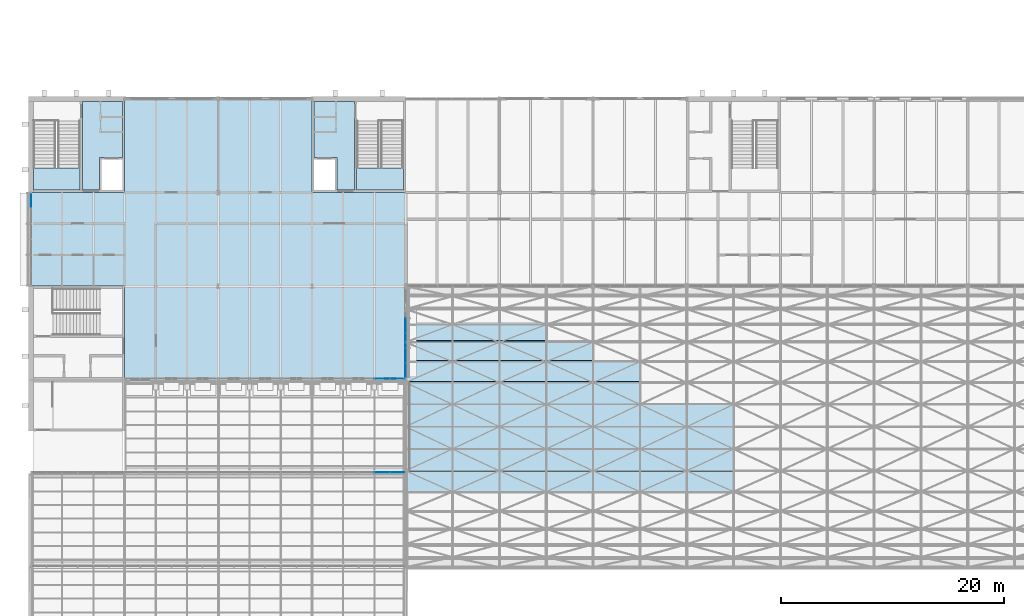
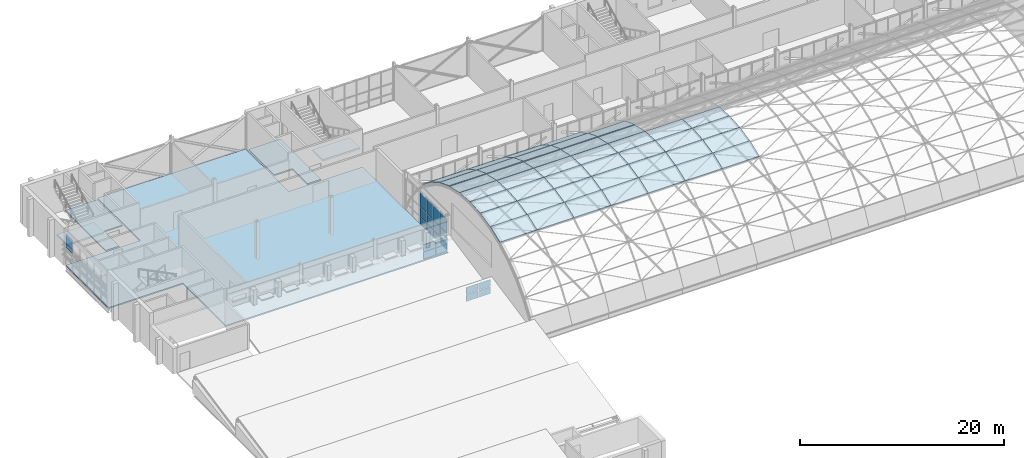
# One storey, part 72 of 121: 66 plates, 5 slabs, 6 elements without a shape of their own.
"""IFC4 building model written with IfcOpenShell, lengths in metres."""

from ifc_helpers import new_model, si_unit, direction, frame, origin, origin_2d, place, context, subcontext, project, spatial, polyline, rectangle, outline, extrude, material, layer, layer_set, type_object, element, aggregate, save


model = new_model("IFC4")

# Units and contexts
model_context = context("Model", 3, precision=1e-05, world=origin(), true_north=direction((0.0, 1.0)))
body_context = subcontext(model_context, "Body", "Model", "MODEL_VIEW")
ifc_project = project(units=[si_unit("LENGTHUNIT", "METRE"), si_unit("AREAUNIT", "SQUARE_METRE"), si_unit("VOLUMEUNIT", "CUBIC_METRE"), si_unit("PLANEANGLEUNIT", "RADIAN"), si_unit("MASSUNIT", "GRAM", prefix="KILO")], contexts=[model_context])

# Site, building, storey
site_placement = place(None, origin())
site = spatial("IfcSite", under=ifc_project, at=site_placement, CompositionType="ELEMENT")
building_placement = place(site_placement, origin())
building = spatial("IfcBuilding", under=site, at=building_placement, Name="Ardhachandra Cancer Care Centre", CompositionType="ELEMENT")
storey_placement = place(building_placement, frame((0.0, 0.0, 9.0)))
storey = spatial("IfcBuildingStorey", under=building, at=storey_placement, Name="L02", CompositionType="ELEMENT", Elevation=9.0)

# Slabs
ifc_material_1 = material(Name="Composite slab Concrete M30 on steel deck", Category="concrete")
ifc_layer_1 = layer(ifc_material_1, 0.14990234375)
ifc_layer_set_1 = layer_set([ifc_layer_1], Name="Composite slab Concrete M30 on steel deck")
slab_type_1 = type_object("IfcSlabType", Name="Composite floor slab 150", PredefinedType="FLOOR", material=ifc_layer_set_1)
slab_1_placement = place(storey_placement, frame((0.0, 0.0, -0.14990234375)))
element("IfcSlab", 1, at=slab_1_placement, inside=storey, type_object=slab_type_1, Name="Floor slab V6", PredefinedType="FLOOR", context=body_context, shape_type="SweptSolid", body=[
    extrude(outline(polyline([(44.39990234375, 79.800048828125), (44.39990234375, 79.922119140625), (44.39990234375, 88.199951171875), (36.0, 88.199951171875), (36.0, 96.60009765625), (19.199951171875, 96.60009765625), (19.199951171875, 88.199951171875), (10.800048828125, 88.199951171875), (10.800048828125, 79.800048828125), (19.199951171875, 79.800048828125), (19.199951171875, 71.39990234375), (44.39990234375, 71.39990234375), (44.39990234375, 79.800048828125)])), origin(), (0.0, 0.0, 1.0), 0.14990234375),
])
ifc_material_2 = material(Name="Concrete M40", Category="concrete")
ifc_layer_2 = layer(ifc_material_2, 0.14990234375)
ifc_layer_set_2 = layer_set([ifc_layer_2], Name="Concrete M40")
slab_type_2 = type_object("IfcSlabType", Name="Core floor slab 150", PredefinedType="FLOOR", material=ifc_layer_set_2)
slab_2_placement = place(storey_placement, frame((0.0, 0.0, -0.14990234375)))
element("IfcSlab", 2, at=slab_2_placement, inside=storey, type_object=slab_type_2, Name="Core floor slab K4 L02 2", PredefinedType="FLOOR", context=body_context, shape_type="SweptSolid", body=[
    extrude(outline(polyline([(19.0, 96.375), (19.0, 91.35009765625), (17.14990234375, 91.35009765625), (16.949951171875, 91.35009765625), (16.949951171875, 88.39990234375), (15.425048828125, 88.39990234375), (15.425048828125, 96.375), (19.0, 96.375)])), origin(), (0.0, 0.0, 1.0), 0.14990234375),
])
slab_3_placement = place(storey_placement, frame((0.0, 0.0, -0.14990234375)))
element("IfcSlab", 3, at=slab_3_placement, inside=storey, type_object=slab_type_2, Name="Core floor slab K5 L02 2", PredefinedType="FLOOR", context=body_context, shape_type="SweptSolid", body=[
    extrude(outline(polyline([(36.199951171875, 96.375), (36.199951171875, 91.35009765625), (38.050048828125, 91.35009765625), (38.25, 91.35009765625), (38.25, 88.39990234375), (39.800048828125, 88.39990234375), (39.800048828125, 96.375), (36.199951171875, 96.375)])), origin(), (0.0, 0.0, 1.0), 0.14990234375),
])

# Curtain wall, plates
ifc_material_3 = material(Name="Aluminium extrusion", Category="aluminium")
ifc_layer_3 = layer(ifc_material_3, 0.14990234375)
ifc_layer_set_3 = layer_set([ifc_layer_3], Name="Aluminium extrusion")
curtain_wall_type = type_object("IfcCurtainWallType", Name="Curtain wall run", PredefinedType="NOTDEFINED", material=ifc_layer_set_3)
curtain_wall_1_placement = place(storey_placement, origin())
curtain_wall_1 = element("IfcCurtainWall", 4, at=curtain_wall_1_placement, inside=storey, type_object=curtain_wall_type, Name="Curtain wall L02 e/0044400_0071400", PredefinedType="NOTDEFINED")
ifc_material_4 = material(Name="Low-iron double-glazed unit")
ifc_layer_4 = layer(ifc_material_4, 0.028076171875)
ifc_layer_set_4 = layer_set([ifc_layer_4], Name="Low-iron double-glazed unit")
plate_type_1 = type_object("IfcPlateType", Name="Curtain wall glazing 28", PredefinedType="CURTAIN_PANEL", material=ifc_layer_set_4)
plate_1_placement = place(storey_placement, frame((44.39990234375, 71.64404296875, 0.06005859375), z_axis=(-1.0, 0.0, 0.0), x_axis=(0.0, 0.0, 1.0)))
plate_1 = element("IfcPlate", 5, at=plate_1_placement, type_object=plate_type_1, Name="CW panel 1.1", PredefinedType="CURTAIN_PANEL", context=body_context, shape_type="SweptSolid", body=[
    extrude(outline(polyline([(0.0, 0.0), (0.81005859375, 0.0), (0.81005859375, 1.24853515625), (0.0, 1.24853515625), (0.0, 0.0)])), origin(), (0.0, 0.0, 1.0), 0.028076171875),
])
plate_2_placement = place(storey_placement, frame((44.39990234375, 71.64404296875, 0.929931640625), z_axis=(-1.0, 0.0, 0.0), x_axis=(0.0, 0.0, 1.0)))
plate_2 = element("IfcPlate", 6, at=plate_2_placement, type_object=plate_type_1, Name="CW panel 1.2", PredefinedType="CURTAIN_PANEL", context=body_context, shape_type="SweptSolid", body=[
    extrude(outline(polyline([(0.0, 0.0), (1.14013671875, 0.0), (1.14013671875, 1.24853515625), (0.0, 1.24853515625), (0.0, 0.0)])), origin(), (0.0, 0.0, 1.0), 0.028076171875),
])
plate_3_placement = place(storey_placement, frame((44.39990234375, 71.64404296875, 2.1298828125), z_axis=(-1.0, 0.0, 0.0), x_axis=(0.0, 0.0, 1.0)))
plate_3 = element("IfcPlate", 7, at=plate_3_placement, type_object=plate_type_1, Name="CW panel 1.3", PredefinedType="CURTAIN_PANEL", context=body_context, shape_type="SweptSolid", body=[
    extrude(outline(polyline([(0.0, 0.0), (1.66015625, 0.0), (1.66015625, 1.24853515625), (0.0, 1.24853515625), (0.0, 0.0)])), origin(), (0.0, 0.0, 1.0), 0.028076171875),
])
plate_4_placement = place(storey_placement, frame((44.39990234375, 72.95263671875, 0.06005859375), z_axis=(-1.0, 0.0, 0.0), x_axis=(0.0, 0.0, 1.0)))
plate_4 = element("IfcPlate", 8, at=plate_4_placement, type_object=plate_type_1, Name="CW panel 2.1", PredefinedType="CURTAIN_PANEL", context=body_context, shape_type="SweptSolid", body=[
    extrude(outline(polyline([(0.0, 0.0), (0.81005859375, 0.0), (0.81005859375, 1.27880859375), (0.0, 1.27880859375), (0.0, 0.0)])), origin(), (0.0, 0.0, 1.0), 0.028076171875),
])
plate_5_placement = place(storey_placement, frame((44.39990234375, 72.95263671875, 0.929931640625), z_axis=(-1.0, 0.0, 0.0), x_axis=(0.0, 0.0, 1.0)))
plate_5 = element("IfcPlate", 9, at=plate_5_placement, type_object=plate_type_1, Name="CW panel 2.2", PredefinedType="CURTAIN_PANEL", context=body_context, shape_type="SweptSolid", body=[
    extrude(outline(polyline([(0.0, 0.0), (1.14013671875, 0.0), (1.14013671875, 1.27880859375), (0.0, 1.27880859375), (0.0, 0.0)])), origin(), (0.0, 0.0, 1.0), 0.028076171875),
])
plate_6_placement = place(storey_placement, frame((44.39990234375, 72.95263671875, 2.1298828125), z_axis=(-1.0, 0.0, 0.0), x_axis=(0.0, 0.0, 1.0)))
plate_6 = element("IfcPlate", 10, at=plate_6_placement, type_object=plate_type_1, Name="CW panel 2.3", PredefinedType="CURTAIN_PANEL", context=body_context, shape_type="SweptSolid", body=[
    extrude(outline(polyline([(0.0, 0.0), (1.66015625, 0.0), (1.66015625, 1.27880859375), (0.0, 1.27880859375), (0.0, 0.0)])), origin(), (0.0, 0.0, 1.0), 0.028076171875),
])
plate_7_placement = place(storey_placement, frame((44.39990234375, 74.291259765625, 0.06005859375), z_axis=(-1.0, 0.0, 0.0), x_axis=(0.0, 0.0, 1.0)))
plate_7 = element("IfcPlate", 11, at=plate_7_placement, type_object=plate_type_1, Name="CW panel 3.1", PredefinedType="CURTAIN_PANEL", context=body_context, shape_type="SweptSolid", body=[
    extrude(outline(polyline([(0.0, 0.0), (0.81005859375, 0.0), (0.81005859375, 1.27880859375), (0.0, 1.27880859375), (0.0, 0.0)])), origin(), (0.0, 0.0, 1.0), 0.028076171875),
])
plate_8_placement = place(storey_placement, frame((44.39990234375, 74.291259765625, 0.929931640625), z_axis=(-1.0, 0.0, 0.0), x_axis=(0.0, 0.0, 1.0)))
plate_8 = element("IfcPlate", 12, at=plate_8_placement, type_object=plate_type_1, Name="CW panel 3.2", PredefinedType="CURTAIN_PANEL", context=body_context, shape_type="SweptSolid", body=[
    extrude(outline(polyline([(0.0, 0.0), (1.14013671875, 0.0), (1.14013671875, 1.27880859375), (0.0, 1.27880859375), (0.0, 0.0)])), origin(), (0.0, 0.0, 1.0), 0.028076171875),
])
plate_9_placement = place(storey_placement, frame((44.39990234375, 74.291259765625, 2.1298828125), z_axis=(-1.0, 0.0, 0.0), x_axis=(0.0, 0.0, 1.0)))
plate_9 = element("IfcPlate", 13, at=plate_9_placement, type_object=plate_type_1, Name="CW panel 3.3", PredefinedType="CURTAIN_PANEL", context=body_context, shape_type="SweptSolid", body=[
    extrude(outline(polyline([(0.0, 0.0), (1.66015625, 0.0), (1.66015625, 1.27880859375), (0.0, 1.27880859375), (0.0, 0.0)])), origin(), (0.0, 0.0, 1.0), 0.028076171875),
])
plate_10_placement = place(storey_placement, frame((44.39990234375, 75.6298828125, 0.06005859375), z_axis=(-1.0, 0.0, 0.0), x_axis=(0.0, 0.0, 1.0)))
plate_10 = element("IfcPlate", 14, at=plate_10_placement, type_object=plate_type_1, Name="CW panel 4.1", PredefinedType="CURTAIN_PANEL", context=body_context, shape_type="SweptSolid", body=[
    extrude(outline(polyline([(0.0, 0.0), (0.81005859375, 0.0), (0.81005859375, 1.27880859375), (0.0, 1.27880859375), (0.0, 0.0)])), origin(), (0.0, 0.0, 1.0), 0.028076171875),
])
plate_11_placement = place(storey_placement, frame((44.39990234375, 75.6298828125, 0.929931640625), z_axis=(-1.0, 0.0, 0.0), x_axis=(0.0, 0.0, 1.0)))
plate_11 = element("IfcPlate", 15, at=plate_11_placement, type_object=plate_type_1, Name="CW panel 4.2", PredefinedType="CURTAIN_PANEL", context=body_context, shape_type="SweptSolid", body=[
    extrude(outline(polyline([(0.0, 0.0), (1.14013671875, 0.0), (1.14013671875, 1.27880859375), (0.0, 1.27880859375), (0.0, 0.0)])), origin(), (0.0, 0.0, 1.0), 0.028076171875),
])
plate_12_placement = place(storey_placement, frame((44.39990234375, 75.6298828125, 2.1298828125), z_axis=(-1.0, 0.0, 0.0), x_axis=(0.0, 0.0, 1.0)))
plate_12 = element("IfcPlate", 16, at=plate_12_placement, type_object=plate_type_1, Name="CW panel 4.3", PredefinedType="CURTAIN_PANEL", context=body_context, shape_type="SweptSolid", body=[
    extrude(outline(polyline([(0.0, 0.0), (1.66015625, 0.0), (1.66015625, 1.27880859375), (0.0, 1.27880859375), (0.0, 0.0)])), origin(), (0.0, 0.0, 1.0), 0.028076171875),
])
aggregate(curtain_wall_1, [plate_1, plate_2, plate_3, plate_4, plate_5, plate_6, plate_7, plate_8, plate_9, plate_10, plate_11, plate_12])

# Curtain wall, plate
curtain_wall_2_placement = place(storey_placement, origin())
curtain_wall_2 = element("IfcCurtainWall", 17, at=curtain_wall_2_placement, inside=storey, type_object=curtain_wall_type, Name="Curtain wall L02 w/0010800_0079800", PredefinedType="NOTDEFINED")
plate_13_placement = place(storey_placement, frame((10.800048828125, 87.485107421875, 2.1298828125), z_axis=(0.0, 0.0, 1.0), x_axis=(0.0, 1.0, 0.0)))
plate_13 = element("IfcPlate", 18, at=plate_13_placement, type_object=plate_type_1, Name="CW panel 6.3", PredefinedType="CURTAIN_PANEL", context=body_context, shape_type="SweptSolid", body=[
    extrude(rectangle(XDim=1.31005859375, YDim=0.028076171875, at=origin_2d()), origin(), (0.0, 0.0, 1.0), 1.659912109375),
])
aggregate(curtain_wall_2, [plate_13])

# Curtain wall, plates
curtain_wall_3_placement = place(storey_placement, origin())
curtain_wall_3 = element("IfcCurtainWall", 19, at=curtain_wall_3_placement, inside=storey, type_object=curtain_wall_type, Name="Curtain wall L02 n/0010800_0063100", PredefinedType="NOTDEFINED")
plate_14_placement = place(storey_placement, frame((42.300048828125, 63.10009765625, 0.93994140625), z_axis=(0.0, 0.0, 1.0), x_axis=(1.0, 0.0, 0.0)))
plate_14 = element("IfcPlate", 20, at=plate_14_placement, type_object=plate_type_1, Name="CW panel 23.2", PredefinedType="CURTAIN_PANEL", context=body_context, shape_type="SweptSolid", body=[
    extrude(rectangle(XDim=1.340087890625, YDim=0.028076171875, at=origin_2d()), origin(), (0.0, 0.0, 1.0), 0.820068359375),
])
plate_15_placement = place(storey_placement, frame((43.68505859375, 63.10009765625, 0.93994140625), z_axis=(0.0, 0.0, 1.0), x_axis=(1.0, 0.0, 0.0)))
plate_15 = element("IfcPlate", 21, at=plate_15_placement, type_object=plate_type_1, Name="CW panel 24.2", PredefinedType="CURTAIN_PANEL", context=body_context, shape_type="SweptSolid", body=[
    extrude(rectangle(XDim=1.31005859375, YDim=0.028076171875, at=origin_2d()), origin(), (0.0, 0.0, 1.0), 0.820068359375),
])

curtain_wall_4_placement = place(storey_placement, origin())
curtain_wall_4 = element("IfcCurtainWall", 22, at=curtain_wall_4_placement, inside=storey, type_object=curtain_wall_type, Name="Curtain wall L02 n/0019200_0071500", PredefinedType="NOTDEFINED")
plate_16_placement = place(storey_placement, frame((42.300048828125, 71.5, 0.93994140625), z_axis=(0.0, 0.0, 1.0), x_axis=(1.0, 0.0, 0.0)))
plate_16 = element("IfcPlate", 23, at=plate_16_placement, type_object=plate_type_1, Name="CW panel 17.2", PredefinedType="CURTAIN_PANEL", context=body_context, shape_type="SweptSolid", body=[
    extrude(rectangle(XDim=1.340087890625, YDim=0.028076171875, at=origin_2d()), origin(), (0.0, 0.0, 1.0), 0.820068359375),
])
plate_17_placement = place(storey_placement, frame((43.68505859375, 71.5, 0.93994140625), z_axis=(0.0, 0.0, 1.0), x_axis=(1.0, 0.0, 0.0)))
plate_17 = element("IfcPlate", 24, at=plate_17_placement, type_object=plate_type_1, Name="CW panel 18.2", PredefinedType="CURTAIN_PANEL", context=body_context, shape_type="SweptSolid", body=[
    extrude(rectangle(XDim=1.31005859375, YDim=0.028076171875, at=origin_2d()), origin(), (0.0, 0.0, 1.0), 0.820068359375),
])

# Plate
ifc_material_5 = material(Name="Aluminium composite spandrel panel", Category="aluminium")
ifc_layer_5 = layer(ifc_material_5, 0.028076171875)
ifc_layer_set_5 = layer_set([ifc_layer_5], Name="Aluminium composite spandrel panel")
plate_type_2 = type_object("IfcPlateType", Name="Curtain wall spandrel panel 28", PredefinedType="CURTAIN_PANEL", material=ifc_layer_set_5)
plate_18_placement = place(storey_placement, frame((42.300048828125, 63.10009765625, 0.06005859375), z_axis=(0.0, 0.0, 1.0), x_axis=(1.0, 0.0, 0.0)))
plate_18 = element("IfcPlate", 25, at=plate_18_placement, type_object=plate_type_2, Name="CW panel 23.1", PredefinedType="CURTAIN_PANEL", context=body_context, shape_type="SweptSolid", body=[
    extrude(rectangle(XDim=1.340087890625, YDim=0.028076171875, at=origin_2d()), origin(), (0.0, 0.0, 1.0), 0.820068359375),
])

plate_19_placement = place(storey_placement, frame((43.68505859375, 63.10009765625, 0.06005859375), z_axis=(0.0, 0.0, 1.0), x_axis=(1.0, 0.0, 0.0)))
plate_19 = element("IfcPlate", 26, at=plate_19_placement, type_object=plate_type_2, Name="CW panel 24.1", PredefinedType="CURTAIN_PANEL", context=body_context, shape_type="SweptSolid", body=[
    extrude(rectangle(XDim=1.31005859375, YDim=0.028076171875, at=origin_2d()), origin(), (0.0, 0.0, 1.0), 0.820068359375),
])

aggregate(curtain_wall_3, [plate_18, plate_14, plate_19, plate_15])

plate_20_placement = place(storey_placement, frame((42.300048828125, 71.5, 0.06005859375), z_axis=(0.0, 0.0, 1.0), x_axis=(1.0, 0.0, 0.0)))
plate_20 = element("IfcPlate", 27, at=plate_20_placement, type_object=plate_type_2, Name="CW panel 17.1", PredefinedType="CURTAIN_PANEL", context=body_context, shape_type="SweptSolid", body=[
    extrude(rectangle(XDim=1.340087890625, YDim=0.028076171875, at=origin_2d()), origin(), (0.0, 0.0, 1.0), 0.820068359375),
])

plate_21_placement = place(storey_placement, frame((43.68505859375, 71.5, 0.06005859375), z_axis=(0.0, 0.0, 1.0), x_axis=(1.0, 0.0, 0.0)))
plate_21 = element("IfcPlate", 28, at=plate_21_placement, type_object=plate_type_2, Name="CW panel 18.1", PredefinedType="CURTAIN_PANEL", context=body_context, shape_type="SweptSolid", body=[
    extrude(rectangle(XDim=1.31005859375, YDim=0.028076171875, at=origin_2d()), origin(), (0.0, 0.0, 1.0), 0.820068359375),
])

aggregate(curtain_wall_4, [plate_20, plate_16, plate_21, plate_17])

# Plates
ifc_material_6 = material(Name="Laminated heat-strengthened double-glazed unit")
ifc_layer_6 = layer(ifc_material_6, 0.035888671875)
ifc_layer_set_6 = layer_set([ifc_layer_6], Name="Laminated heat-strengthened double-glazed unit")
plate_type_3 = type_object("IfcPlateType", Name="Gridshell glazing 36", PredefinedType="SHEET", material=ifc_layer_set_6)
for number, where, z_axis, x_axis, name in (
    (29, (44.39990234375, 63.2177734375, 7.93359375), (0.0, -0.218735449514, 0.975784199055), (1.0, 0.0, 0.0), "Glazed cell H 1.7"),
    (30, (44.39990234375, 65.191650390625, 8.374755859375), (0.0, -0.073436541071, 0.997299891926), (1.0, 0.0, 0.0), "Glazed cell H 1.8"),
    (31, (44.39990234375, 67.208984375, 8.52197265625), (0.0, 0.073436541071, 0.997299891926), (1.0, 0.0, 0.0), "Glazed cell H 1.9"),
):
    element("IfcPlate", number, at=place(storey_placement, frame(where, z_axis=z_axis, x_axis=x_axis)), inside=storey, type_object=plate_type_3, Name=name, PredefinedType="SHEET", context=body_context, shape_type="SweptSolid", body=[
        extrude(outline(polyline([(0.0, 0.0), (4.2001953125, 0.0), (4.2001953125, 2.004638671875), (0.0, 2.004638671875), (0.0, 0.0)])), origin(), (0.0, 0.0, 1.0), 0.035888671875),
    ])
plate_22_placement = place(storey_placement, frame((44.39990234375, 69.22607421875, 8.3720703125), z_axis=(0.0, 0.218709457766, 0.9757900251), x_axis=(1.0, 0.0, 0.0)))
element("IfcPlate", 32, at=plate_22_placement, inside=storey, type_object=plate_type_3, Name="Glazed cell H 1.10", PredefinedType="SHEET", context=body_context, shape_type="SweptSolid", body=[
    extrude(outline(polyline([(0.0, 0.0), (4.2001953125, 0.0), (4.2001953125, 2.0048828125), (0.0, 2.0048828125), (0.0, 0.0)])), origin(), (0.0, 0.0, 1.0), 0.035888671875),
])
for number, where, z_axis, x_axis, name in (
    (33, (48.60009765625, 63.2177734375, 7.93359375), (0.0, -0.218735449514, 0.975784199055), (1.0, 0.0, 0.0), "Glazed cell H 2.7"),
    (34, (48.60009765625, 65.191650390625, 8.374755859375), (0.0, -0.073436541071, 0.997299891926), (1.0, 0.0, 0.0), "Glazed cell H 2.8"),
    (35, (48.60009765625, 67.208984375, 8.52197265625), (0.0, 0.073436541071, 0.997299891926), (1.0, 0.0, 0.0), "Glazed cell H 2.9"),
):
    element("IfcPlate", number, at=place(storey_placement, frame(where, z_axis=z_axis, x_axis=x_axis)), inside=storey, type_object=plate_type_3, Name=name, PredefinedType="SHEET", context=body_context, shape_type="SweptSolid", body=[
        extrude(outline(polyline([(0.0, 0.0), (4.199951171875, 0.0), (4.199951171875, 2.004638671875), (0.0, 2.004638671875), (0.0, 0.0)])), origin(), (0.0, 0.0, 1.0), 0.035888671875),
    ])
plate_23_placement = place(storey_placement, frame((48.60009765625, 69.22607421875, 8.3720703125), z_axis=(0.0, 0.218709457766, 0.9757900251), x_axis=(1.0, 0.0, 0.0)))
element("IfcPlate", 36, at=plate_23_placement, inside=storey, type_object=plate_type_3, Name="Glazed cell H 2.10", PredefinedType="SHEET", context=body_context, shape_type="SweptSolid", body=[
    extrude(outline(polyline([(0.0, 0.0), (4.199951171875, 0.0), (4.199951171875, 2.0048828125), (0.0, 2.0048828125), (0.0, 0.0)])), origin(), (0.0, 0.0, 1.0), 0.035888671875),
])
for number, where, z_axis, x_axis, name in (
    (37, (52.800048828125, 63.2177734375, 7.93359375), (0.0, -0.218735449514, 0.975784199055), (1.0, 0.0, 0.0), "Glazed cell H 3.7"),
    (38, (52.800048828125, 65.191650390625, 8.374755859375), (0.0, -0.073436541071, 0.997299891926), (1.0, 0.0, 0.0), "Glazed cell H 3.8"),
    (39, (52.800048828125, 67.208984375, 8.52197265625), (0.0, 0.073436541071, 0.997299891926), (1.0, 0.0, 0.0), "Glazed cell H 3.9"),
):
    element("IfcPlate", number, at=place(storey_placement, frame(where, z_axis=z_axis, x_axis=x_axis)), inside=storey, type_object=plate_type_3, Name=name, PredefinedType="SHEET", context=body_context, shape_type="SweptSolid", body=[
        extrude(outline(polyline([(0.0, 0.0), (4.199951171875, 0.0), (4.199951171875, 2.004638671875), (0.0, 2.004638671875), (0.0, 0.0)])), origin(), (0.0, 0.0, 1.0), 0.035888671875),
    ])
plate_24_placement = place(storey_placement, frame((52.800048828125, 69.22607421875, 8.3720703125), z_axis=(0.0, 0.218709457766, 0.9757900251), x_axis=(1.0, 0.0, 0.0)))
element("IfcPlate", 40, at=plate_24_placement, inside=storey, type_object=plate_type_3, Name="Glazed cell H 3.10", PredefinedType="SHEET", context=body_context, shape_type="SweptSolid", body=[
    extrude(outline(polyline([(0.0, 0.0), (4.199951171875, 0.0), (4.199951171875, 2.0048828125), (0.0, 2.0048828125), (0.0, 0.0)])), origin(), (0.0, 0.0, 1.0), 0.035888671875),
])
for number, where, z_axis, x_axis, name in (
    (41, (57.0, 63.2177734375, 7.93359375), (0.0, -0.218735449514, 0.975784199055), (1.0, 0.0, 0.0), "Glazed cell H 4.7"),
    (42, (57.0, 65.191650390625, 8.374755859375), (0.0, -0.073436541071, 0.997299891926), (1.0, 0.0, 0.0), "Glazed cell H 4.8"),
    (43, (57.0, 67.208984375, 8.52197265625), (0.0, 0.073436541071, 0.997299891926), (1.0, 0.0, 0.0), "Glazed cell H 4.9"),
):
    element("IfcPlate", number, at=place(storey_placement, frame(where, z_axis=z_axis, x_axis=x_axis)), inside=storey, type_object=plate_type_3, Name=name, PredefinedType="SHEET", context=body_context, shape_type="SweptSolid", body=[
        extrude(outline(polyline([(0.0, 0.0), (4.199951171875, 0.0), (4.199951171875, 2.004638671875), (0.0, 2.004638671875), (0.0, 0.0)])), origin(), (0.0, 0.0, 1.0), 0.035888671875),
    ])
plate_25_placement = place(storey_placement, frame((57.0, 69.22607421875, 8.3720703125), z_axis=(0.0, 0.218709457766, 0.9757900251), x_axis=(1.0, 0.0, 0.0)))
element("IfcPlate", 44, at=plate_25_placement, inside=storey, type_object=plate_type_3, Name="Glazed cell H 4.10", PredefinedType="SHEET", context=body_context, shape_type="SweptSolid", body=[
    extrude(outline(polyline([(0.0, 0.0), (4.199951171875, 0.0), (4.199951171875, 2.0048828125), (0.0, 2.0048828125), (0.0, 0.0)])), origin(), (0.0, 0.0, 1.0), 0.035888671875),
])
for number, where, z_axis, x_axis, name in (
    (45, (61.199951171875, 63.2177734375, 7.93359375), (0.0, -0.218735449514, 0.975784199055), (1.0, 0.0, 0.0), "Glazed cell H 5.7"),
    (46, (61.199951171875, 65.191650390625, 8.374755859375), (0.0, -0.073436541071, 0.997299891926), (1.0, 0.0, 0.0), "Glazed cell H 5.8"),
    (47, (61.199951171875, 67.208984375, 8.52197265625), (0.0, 0.073436541071, 0.997299891926), (1.0, 0.0, 0.0), "Glazed cell H 5.9"),
):
    element("IfcPlate", number, at=place(storey_placement, frame(where, z_axis=z_axis, x_axis=x_axis)), inside=storey, type_object=plate_type_3, Name=name, PredefinedType="SHEET", context=body_context, shape_type="SweptSolid", body=[
        extrude(outline(polyline([(0.0, 0.0), (4.199951171875, 0.0), (4.199951171875, 2.004638671875), (0.0, 2.004638671875), (0.0, 0.0)])), origin(), (0.0, 0.0, 1.0), 0.035888671875),
    ])
plate_26_placement = place(storey_placement, frame((61.199951171875, 69.22607421875, 8.3720703125), z_axis=(0.0, 0.218709457766, 0.9757900251), x_axis=(1.0, 0.0, 0.0)))
element("IfcPlate", 48, at=plate_26_placement, inside=storey, type_object=plate_type_3, Name="Glazed cell H 5.10", PredefinedType="SHEET", context=body_context, shape_type="SweptSolid", body=[
    extrude(outline(polyline([(0.0, 0.0), (4.199951171875, 0.0), (4.199951171875, 2.0048828125), (0.0, 2.0048828125), (0.0, 0.0)])), origin(), (0.0, 0.0, 1.0), 0.035888671875),
])
for number, where, z_axis, x_axis, name in (
    (49, (65.39990234375, 63.2177734375, 7.93359375), (0.0, -0.218735449514, 0.975784199055), (1.0, 0.0, 0.0), "Glazed cell H 6.7"),
    (50, (65.39990234375, 65.191650390625, 8.374755859375), (0.0, -0.073436541071, 0.997299891926), (1.0, 0.0, 0.0), "Glazed cell H 6.8"),
    (51, (65.39990234375, 67.208984375, 8.52197265625), (0.0, 0.073436541071, 0.997299891926), (1.0, 0.0, 0.0), "Glazed cell H 6.9"),
):
    element("IfcPlate", number, at=place(storey_placement, frame(where, z_axis=z_axis, x_axis=x_axis)), inside=storey, type_object=plate_type_3, Name=name, PredefinedType="SHEET", context=body_context, shape_type="SweptSolid", body=[
        extrude(outline(polyline([(0.0, 0.0), (4.2001953125, 0.0), (4.2001953125, 2.004638671875), (0.0, 2.004638671875), (0.0, 0.0)])), origin(), (0.0, 0.0, 1.0), 0.035888671875),
    ])
for number, where, z_axis, x_axis, name in (
    (52, (69.60009765625, 63.2177734375, 7.93359375), (0.0, -0.218735449514, 0.975784199055), (1.0, 0.0, 0.0), "Glazed cell H 7.7"),
    (53, (69.60009765625, 65.191650390625, 8.374755859375), (0.0, -0.073436541071, 0.997299891926), (1.0, 0.0, 0.0), "Glazed cell H 7.8"),
    (54, (69.60009765625, 67.208984375, 8.52197265625), (0.0, 0.073436541071, 0.997299891926), (1.0, 0.0, 0.0), "Glazed cell H 7.9"),
):
    element("IfcPlate", number, at=place(storey_placement, frame(where, z_axis=z_axis, x_axis=x_axis)), inside=storey, type_object=plate_type_3, Name=name, PredefinedType="SHEET", context=body_context, shape_type="SweptSolid", body=[
        extrude(outline(polyline([(0.0, 0.0), (4.199951171875, 0.0), (4.199951171875, 2.004638671875), (0.0, 2.004638671875), (0.0, 0.0)])), origin(), (0.0, 0.0, 1.0), 0.035888671875),
    ])
ifc_material_7 = material(Name="Insulated metal roof panel (galvalume skins, PIR core)")
ifc_layer_7 = layer(ifc_material_7, 0.10009765625)
ifc_layer_set_7 = layer_set([ifc_layer_7], Name="Insulated metal roof panel (galvalume skins, PIR core)")
plate_type_4 = type_object("IfcPlateType", Name="Gridshell insulated panel 100", PredefinedType="SHEET", material=ifc_layer_set_7)
for number, where, z_axis, x_axis, name in (
    (55, (44.39990234375, 61.32958984375, 7.2080078125), (0.0, -0.359370750226, 0.93319486919), (1.0, 0.0, 0.0), "Roof cell H 1.6"),
    (56, (44.39990234375, 71.199462890625, 7.928466796875), (0.0, 0.359370750226, 0.93319486919), (1.0, 0.0, 0.0), "Roof cell H 1.11"),
):
    element("IfcPlate", number, at=place(storey_placement, frame(where, z_axis=z_axis, x_axis=x_axis)), inside=storey, type_object=plate_type_4, Name=name, PredefinedType="SHEET", context=body_context, shape_type="SweptSolid", body=[
        extrude(outline(polyline([(0.0, 0.0), (4.2001953125, 0.0), (4.2001953125, 2.0048828125), (0.0, 2.0048828125), (0.0, 0.0)])), origin(), (0.0, 0.0, 1.0), 0.10009765625),
    ])
plate_27_placement = place(storey_placement, frame((44.39990234375, 73.086669921875, 7.200439453125), z_axis=(0.0, 0.492133501312, 0.870519739515), x_axis=(1.0, 0.0, 0.0)))
element("IfcPlate", 57, at=plate_27_placement, inside=storey, type_object=plate_type_4, Name="Roof cell H 1.12", PredefinedType="SHEET", context=body_context, shape_type="SweptSolid", body=[
    extrude(outline(polyline([(0.0, 0.0), (4.2001953125, 0.0), (4.2001953125, 2.004638671875), (0.0, 2.004638671875), (0.0, 0.0)])), origin(), (0.0, 0.0, 1.0), 0.10009765625),
])
plate_28_placement = place(storey_placement, frame((44.39990234375, 74.8466796875, 6.203857421875), z_axis=(0.0, 0.614244074324, 0.789116098656), x_axis=(1.0, 0.0, 0.0)))
element("IfcPlate", 58, at=plate_28_placement, inside=storey, type_object=plate_type_4, Name="Roof cell H 1.13", PredefinedType="SHEET", context=body_context, shape_type="SweptSolid", body=[
    extrude(outline(polyline([(0.0, 0.0), (4.2001953125, 0.0), (4.2001953125, 2.0048828125), (0.0, 2.0048828125), (0.0, 0.0)])), origin(), (0.0, 0.0, 1.0), 0.10009765625),
])
for number, where, z_axis, x_axis, name in (
    (59, (48.60009765625, 61.32958984375, 7.2080078125), (0.0, -0.359370750226, 0.93319486919), (1.0, 0.0, 0.0), "Roof cell H 2.6"),
    (60, (48.60009765625, 71.199462890625, 7.928466796875), (0.0, 0.359370750226, 0.93319486919), (1.0, 0.0, 0.0), "Roof cell H 2.11"),
):
    element("IfcPlate", number, at=place(storey_placement, frame(where, z_axis=z_axis, x_axis=x_axis)), inside=storey, type_object=plate_type_4, Name=name, PredefinedType="SHEET", context=body_context, shape_type="SweptSolid", body=[
        extrude(outline(polyline([(0.0, 0.0), (4.199951171875, 0.0), (4.199951171875, 2.0048828125), (0.0, 2.0048828125), (0.0, 0.0)])), origin(), (0.0, 0.0, 1.0), 0.10009765625),
    ])
plate_29_placement = place(storey_placement, frame((48.60009765625, 73.086669921875, 7.200439453125), z_axis=(0.0, 0.492133501312, 0.870519739515), x_axis=(1.0, 0.0, 0.0)))
element("IfcPlate", 61, at=plate_29_placement, inside=storey, type_object=plate_type_4, Name="Roof cell H 2.12", PredefinedType="SHEET", context=body_context, shape_type="SweptSolid", body=[
    extrude(outline(polyline([(0.0, 0.0), (4.199951171875, 0.0), (4.199951171875, 2.004638671875), (0.0, 2.004638671875), (0.0, 0.0)])), origin(), (0.0, 0.0, 1.0), 0.10009765625),
])
for number, where, z_axis, x_axis, name in (
    (62, (48.60009765625, 74.8466796875, 6.203857421875), (0.0, 0.614244074324, 0.789116098656), (1.0, 0.0, 0.0), "Roof cell H 2.13"),
    (63, (52.800048828125, 61.32958984375, 7.2080078125), (0.0, -0.359370750226, 0.93319486919), (1.0, 0.0, 0.0), "Roof cell H 3.6"),
    (64, (52.800048828125, 71.199462890625, 7.928466796875), (0.0, 0.359370750226, 0.93319486919), (1.0, 0.0, 0.0), "Roof cell H 3.11"),
):
    element("IfcPlate", number, at=place(storey_placement, frame(where, z_axis=z_axis, x_axis=x_axis)), inside=storey, type_object=plate_type_4, Name=name, PredefinedType="SHEET", context=body_context, shape_type="SweptSolid", body=[
        extrude(outline(polyline([(0.0, 0.0), (4.199951171875, 0.0), (4.199951171875, 2.0048828125), (0.0, 2.0048828125), (0.0, 0.0)])), origin(), (0.0, 0.0, 1.0), 0.10009765625),
    ])
plate_30_placement = place(storey_placement, frame((52.800048828125, 73.086669921875, 7.200439453125), z_axis=(0.0, 0.492133501312, 0.870519739515), x_axis=(1.0, 0.0, 0.0)))
element("IfcPlate", 65, at=plate_30_placement, inside=storey, type_object=plate_type_4, Name="Roof cell H 3.12", PredefinedType="SHEET", context=body_context, shape_type="SweptSolid", body=[
    extrude(outline(polyline([(0.0, 0.0), (4.199951171875, 0.0), (4.199951171875, 2.004638671875), (0.0, 2.004638671875), (0.0, 0.0)])), origin(), (0.0, 0.0, 1.0), 0.10009765625),
])
for number, where, z_axis, x_axis, name in (
    (66, (52.800048828125, 74.8466796875, 6.203857421875), (0.0, 0.614244074324, 0.789116098656), (1.0, 0.0, 0.0), "Roof cell H 3.13"),
    (67, (57.0, 61.32958984375, 7.2080078125), (0.0, -0.359370750226, 0.93319486919), (1.0, 0.0, 0.0), "Roof cell H 4.6"),
    (68, (57.0, 71.199462890625, 7.928466796875), (0.0, 0.359370750226, 0.93319486919), (1.0, 0.0, 0.0), "Roof cell H 4.11"),
):
    element("IfcPlate", number, at=place(storey_placement, frame(where, z_axis=z_axis, x_axis=x_axis)), inside=storey, type_object=plate_type_4, Name=name, PredefinedType="SHEET", context=body_context, shape_type="SweptSolid", body=[
        extrude(outline(polyline([(0.0, 0.0), (4.199951171875, 0.0), (4.199951171875, 2.0048828125), (0.0, 2.0048828125), (0.0, 0.0)])), origin(), (0.0, 0.0, 1.0), 0.10009765625),
    ])
plate_31_placement = place(storey_placement, frame((57.0, 73.086669921875, 7.200439453125), z_axis=(0.0, 0.492133501312, 0.870519739515), x_axis=(1.0, 0.0, 0.0)))
element("IfcPlate", 69, at=plate_31_placement, inside=storey, type_object=plate_type_4, Name="Roof cell H 4.12", PredefinedType="SHEET", context=body_context, shape_type="SweptSolid", body=[
    extrude(outline(polyline([(0.0, 0.0), (4.199951171875, 0.0), (4.199951171875, 2.004638671875), (0.0, 2.004638671875), (0.0, 0.0)])), origin(), (0.0, 0.0, 1.0), 0.10009765625),
])
for number, where, z_axis, x_axis, name in (
    (70, (61.199951171875, 61.32958984375, 7.2080078125), (0.0, -0.359370750226, 0.93319486919), (1.0, 0.0, 0.0), "Roof cell H 5.6"),
    (71, (61.199951171875, 71.199462890625, 7.928466796875), (0.0, 0.359370750226, 0.93319486919), (1.0, 0.0, 0.0), "Roof cell H 5.11"),
):
    element("IfcPlate", number, at=place(storey_placement, frame(where, z_axis=z_axis, x_axis=x_axis)), inside=storey, type_object=plate_type_4, Name=name, PredefinedType="SHEET", context=body_context, shape_type="SweptSolid", body=[
        extrude(outline(polyline([(0.0, 0.0), (4.199951171875, 0.0), (4.199951171875, 2.0048828125), (0.0, 2.0048828125), (0.0, 0.0)])), origin(), (0.0, 0.0, 1.0), 0.10009765625),
    ])
plate_32_placement = place(storey_placement, frame((65.39990234375, 61.32958984375, 7.2080078125), z_axis=(0.0, -0.359370750226, 0.93319486919), x_axis=(1.0, 0.0, 0.0)))
element("IfcPlate", 72, at=plate_32_placement, inside=storey, type_object=plate_type_4, Name="Roof cell H 6.6", PredefinedType="SHEET", context=body_context, shape_type="SweptSolid", body=[
    extrude(outline(polyline([(0.0, 0.0), (4.2001953125, 0.0), (4.2001953125, 2.0048828125), (0.0, 2.0048828125), (0.0, 0.0)])), origin(), (0.0, 0.0, 1.0), 0.10009765625),
])
plate_33_placement = place(storey_placement, frame((69.60009765625, 61.32958984375, 7.2080078125), z_axis=(0.0, -0.359370750226, 0.93319486919), x_axis=(1.0, 0.0, 0.0)))
element("IfcPlate", 73, at=plate_33_placement, inside=storey, type_object=plate_type_4, Name="Roof cell H 7.6", PredefinedType="SHEET", context=body_context, shape_type="SweptSolid", body=[
    extrude(outline(polyline([(0.0, 0.0), (4.199951171875, 0.0), (4.199951171875, 2.0048828125), (0.0, 2.0048828125), (0.0, 0.0)])), origin(), (0.0, 0.0, 1.0), 0.10009765625),
])

# Stair, slab
ifc_material_8 = material(Name="Concrete M40", Category="concrete")
stair_type = type_object("IfcStairType", Name="Dog-leg stair 2000", PredefinedType="HALF_TURN_STAIR", material=ifc_material_8)
stair_1_placement = place(storey_placement, origin())
stair_1 = element("IfcStair", 74, at=stair_1_placement, inside=storey, type_object=stair_type, Name="Stair K4 L02-L03", PredefinedType="HALF_TURN_STAIR")
ifc_material_9 = material(Name="Concrete M40", Category="concrete")
ifc_layer_8 = layer(ifc_material_9, 0.199951171875)
ifc_layer_set_8 = layer_set([ifc_layer_8], Name="Concrete M40")
slab_type_3 = type_object("IfcSlabType", Name="Stair landing 200", PredefinedType="LANDING", material=ifc_layer_set_8)
slab_4_placement = place(storey_placement, frame((0.0, 0.0, 2.050048828125)))
slab_4 = element("IfcSlab", 75, at=slab_4_placement, type_object=slab_type_3, Name="stair K4 L02-L03 landing 1", PredefinedType="LANDING", context=body_context, shape_type="SweptSolid", body=[
    extrude(outline(polyline([(11.02490234375, 88.39990234375), (15.22509765625, 88.39990234375), (15.22509765625, 90.39990234375), (11.02490234375, 90.39990234375), (11.02490234375, 88.39990234375)])), origin(), (0.0, 0.0, 1.0), 0.199951171875),
])
aggregate(stair_1, [slab_4])

stair_2_placement = place(storey_placement, origin())
stair_2 = element("IfcStair", 76, at=stair_2_placement, inside=storey, type_object=stair_type, Name="Stair K5 L02-L03", PredefinedType="HALF_TURN_STAIR")
slab_5_placement = place(storey_placement, frame((0.0, 0.0, 2.050048828125)))
slab_5 = element("IfcSlab", 77, at=slab_5_placement, type_object=slab_type_3, Name="stair K5 L02-L03 landing 1", PredefinedType="LANDING", context=body_context, shape_type="SweptSolid", body=[
    extrude(outline(polyline([(40.0, 88.39990234375), (44.199951171875, 88.39990234375), (44.199951171875, 90.39990234375), (40.0, 90.39990234375), (40.0, 88.39990234375)])), origin(), (0.0, 0.0, 1.0), 0.199951171875),
])
aggregate(stair_2, [slab_5])

save(model, "model.ifc")
